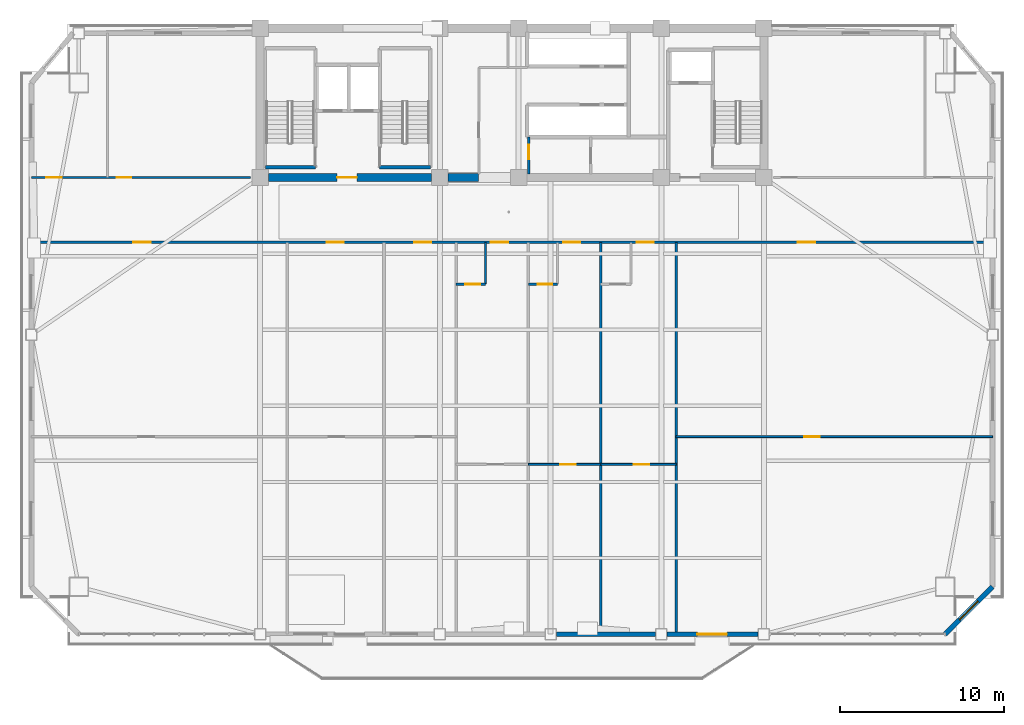
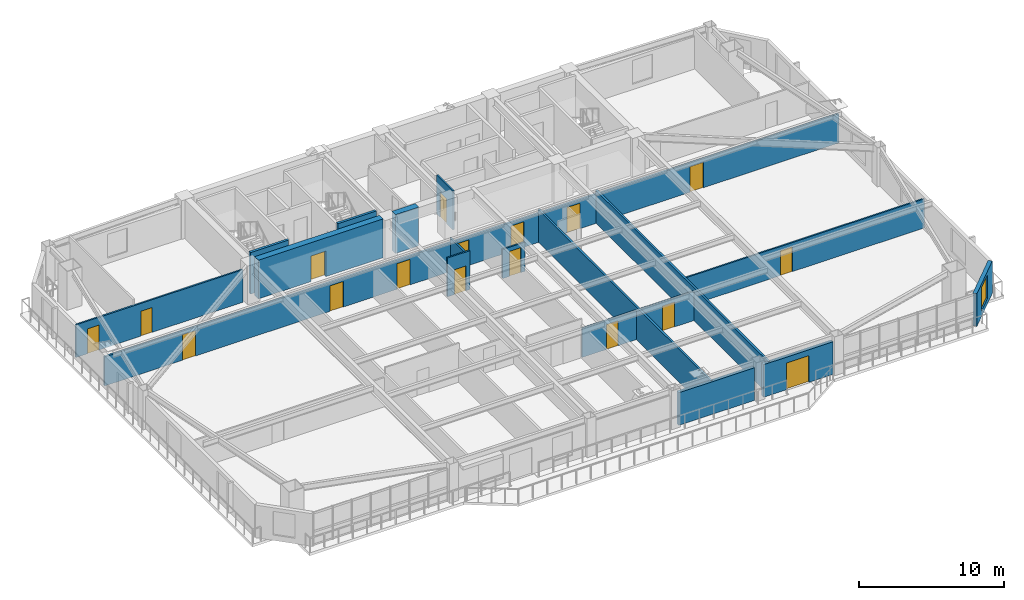
# One storey, part 8 of 15: 18 walls, 17 doors, 1 window, 18 openings.
"""IFC4 building model written with IfcOpenShell, lengths in metres."""

from ifc_helpers import new_model, si_unit, direction, frame, frame_2d, origin, place, context, subcontext, project, spatial, rectangle, extrude, source, transform, mapped, material, layer, layer_set, type_object, element, fill, save


model = new_model("IFC4")

# Units and contexts
model_context = context("Model", 3, precision=1e-05, world=origin(), true_north=direction((0.0, 1.0)))
body_context = subcontext(model_context, "Body", "Model", "MODEL_VIEW")
ifc_project = project(units=[si_unit("LENGTHUNIT", "METRE"), si_unit("AREAUNIT", "SQUARE_METRE"), si_unit("VOLUMEUNIT", "CUBIC_METRE"), si_unit("PLANEANGLEUNIT", "RADIAN"), si_unit("MASSUNIT", "GRAM", prefix="KILO")], contexts=[model_context])

# Site, building, storey
site_placement = place(None, origin())
site = spatial("IfcSite", under=ifc_project, at=site_placement, CompositionType="ELEMENT")
building_placement = place(site_placement, origin())
building = spatial("IfcBuilding", under=site, at=building_placement, Name="Giltprow Tower", CompositionType="ELEMENT")
storey_placement = place(building_placement, frame((0.0, 0.0, 173.699951171875)))
storey = spatial("IfcBuildingStorey", under=building, at=storey_placement, Name="L43", CompositionType="ELEMENT", Elevation=173.699951171875)

# Wall, opening, window
ifc_material_1 = material(Name="Precast concrete C40", Category="concrete")
ifc_layer_1 = layer(ifc_material_1, 0.300048828125, Name="Precast concrete C40")
ifc_layer_set_1 = layer_set([ifc_layer_1], Name="Precast concrete C40")
wall_type_1 = type_object("IfcWallType", Name="EW-NOTCH-CHAMFER-300", PredefinedType="SOLIDWALL", material=ifc_layer_set_1)
wall_1_placement = place(storey_placement, frame((61.593994140625, 9.6259765625, 0.0), z_axis=(0.0, 0.0, 1.0), x_axis=(0.707106781187, 0.707106781187, 0.0)))
wall_1 = element("IfcWall", 1, at=wall_1_placement, inside=storey, type_object=wall_type_1, Name="L43 Corner Notch Wall SE", PredefinedType="SOLIDWALL", context=body_context, shape_type="SweptSolid", body=[
    extrude(rectangle(XDim=4.082763671875, YDim=0.300048828125, at=frame_2d((2.04150390625, 0.0))), origin(), (0.0, 0.0, 1.0), 2.75),
])
opening_1_placement = place(wall_1_placement, frame((1.240966796875, 0.0, 0.449951171875)))
opening_1 = element("IfcOpeningElement", 2, at=opening_1_placement, cuts=wall_1, Name="Opening WN17", PredefinedType="OPENING", context=body_context, shape_type="SweptSolid", body=[
    extrude(rectangle(XDim=1.60009765625, YDim=2.0, at=frame_2d((0.800048828125, 1.0))), frame((0.0, 0.159912109375, 0.0), z_axis=(0.0, -1.0, 0.0), x_axis=(1.0, 0.0, 0.0)), (0.0, 0.0, 1.0), 0.320068359375),
])
ifc_material_2 = material(Name="Insulated glass", Category="glass")
window_type = type_object("IfcWindowType", Name="WN-COR-1600x2000", PartitioningType="SINGLE_PANEL", PredefinedType="WINDOW", material=ifc_material_2)
shared_shape_1 = source(origin(), body_context, "Body", "SweptSolid", [
    extrude(rectangle(XDim=1.60009765625, YDim=2.0, at=frame_2d((0.800048828125, 1.0))), frame((0.0, 0.030029296875, 0.0), z_axis=(0.0, -1.0, 0.0), x_axis=(1.0, 0.0, 0.0)), (0.0, 0.0, 1.0), 0.06005859375),
])
window_placement = place(opening_1_placement, origin())
window = element("IfcWindow", 3, at=window_placement, inside=storey, type_object=window_type, Name="L43 Corner Notch Window SE", OverallHeight=2.0, OverallWidth=1.60009765625, PartitioningType="SINGLE_PANEL", PredefinedType="WINDOW", context=body_context, shape_type="MappedRepresentation", body=[
    mapped(shared_shape_1, transform((0.0, 0.0, 0.0), x_axis=(1.0, 0.0, 0.0), y_axis=(0.0, 1.0, 0.0), z_axis=(0.0, 0.0, 1.0), scale=1.0)),
])
fill(opening_1, window)

# Wall
ifc_layer_2 = layer(ifc_material_1, 0.280029296875, Name="Precast concrete C40")
ifc_layer_set_2 = layer_set([ifc_layer_2], Name="Precast concrete C40")
wall_type_2 = type_object("IfcWallType", Name="EW-TOW-BRONZE-280", PredefinedType="SOLIDWALL", material=ifc_layer_set_2)
wall_2_placement = place(storey_placement, frame((37.89990234375, 9.6259765625, 0.0), z_axis=(0.0, 0.0, 1.0), x_axis=(1.0, 0.0, 0.0)))
element("IfcWall", 4, at=wall_2_placement, inside=storey, type_object=wall_type_2, Name="L43 South Expressed Frame Wall 4", PredefinedType="SOLIDWALL", context=body_context, shape_type="SweptSolid", body=[
    extrude(rectangle(XDim=6.050048828125, YDim=0.280029296875, at=frame_2d((3.02490234375, 0.0))), origin(), (0.0, 0.0, 1.0), 2.75),
])

# Wall, opening, door
wall_3_placement = place(storey_placement, frame((44.64990234375, 9.6259765625, 0.0), z_axis=(0.0, 0.0, 1.0), x_axis=(1.0, 0.0, 0.0)))
wall_3 = element("IfcWall", 5, at=wall_3_placement, inside=storey, type_object=wall_type_2, Name="L43 South Expressed Frame Wall 5", PredefinedType="SOLIDWALL", context=body_context, shape_type="SweptSolid", body=[
    extrude(rectangle(XDim=5.550048828125, YDim=0.280029296875, at=frame_2d((2.77490234375, 0.0))), origin(), (0.0, 0.0, 1.0), 2.75),
])
opening_2_placement = place(wall_3_placement, frame((1.85009765625, 0.0, 0.0)))
opening_2 = element("IfcOpeningElement", 6, at=opening_2_placement, cuts=wall_3, Name="Opening ED25", PredefinedType="OPENING", context=body_context, shape_type="SweptSolid", body=[
    extrude(rectangle(XDim=1.800048828125, YDim=2.25, at=frame_2d((0.89990234375, 1.125))), frame((0.0, 0.14990234375, 0.0), z_axis=(0.0, -1.0, 0.0), x_axis=(1.0, 0.0, 0.0)), (0.0, 0.0, 1.0), 0.300048828125),
])
ifc_material_3 = material(Name="Anodized bronze and glass", Category="glass")
door_type_1 = type_object("IfcDoorType", Name="DR-BALC-SLIDE-1800", OperationType="SLIDING_TO_LEFT", PredefinedType="DOOR", material=ifc_material_3)
shared_shape_2 = source(origin(), body_context, "Body", "SweptSolid", [
    extrude(rectangle(XDim=1.800048828125, YDim=2.25, at=frame_2d((0.89990234375, 1.125))), frame((0.0, 0.02490234375, 0.0), z_axis=(0.0, -1.0, 0.0), x_axis=(1.0, 0.0, 0.0)), (0.0, 0.0, 1.0), 0.050048828125),
])
door_1_placement = place(opening_2_placement, origin())
door_1 = element("IfcDoor", 7, at=door_1_placement, inside=storey, type_object=door_type_1, Name="L43 Waterfront Balcony Sliding Door 2", OperationType="SLIDING_TO_LEFT", OverallHeight=2.25, OverallWidth=1.800048828125, PredefinedType="DOOR", context=body_context, shape_type="MappedRepresentation", body=[
    mapped(shared_shape_2, transform((0.0, 0.0, 0.0), x_axis=(1.0, 0.0, 0.0), y_axis=(0.0, 1.0, 0.0), z_axis=(0.0, 0.0, 1.0), scale=1.0)),
])
fill(opening_2, door_1)

# Wall, openings, doors
ifc_material_4 = material(Name="Gypsum stud partition", Category="gypsum")
ifc_layer_3 = layer(ifc_material_4, 0.14990234375, Name="Gypsum stud partition")
ifc_layer_set_3 = layer_set([ifc_layer_3], Name="Gypsum stud partition")
wall_type_3 = type_object("IfcWallType", Name="IW-CORR-150", PredefinedType="PARTITIONING", material=ifc_layer_set_3)
wall_4_placement = place(storey_placement, frame((5.9189453125, 33.5, 0.0), z_axis=(0.0, 0.0, 1.0), x_axis=(1.0, 0.0, 0.0)))
wall_4 = element("IfcWall", 8, at=wall_4_placement, inside=storey, type_object=wall_type_3, Name="L43 Hotel Guestroom Corridor Wall", PredefinedType="PARTITIONING", context=body_context, shape_type="SweptSolid", body=[
    extrude(rectangle(XDim=58.56201171875, YDim=0.14990234375, at=frame_2d((29.281005859375, 0.0))), origin(), (0.0, 0.0, 1.0), 2.455078125),
])
opening_3_placement = place(wall_4_placement, frame((6.214111328125, 0.0, 0.0)))
opening_3 = element("IfcOpeningElement", 9, at=opening_3_placement, cuts=wall_4, Name="Opening ID31", PredefinedType="OPENING", context=body_context, shape_type="SweptSolid", body=[
    extrude(rectangle(XDim=1.050048828125, YDim=2.14990234375, at=frame_2d((0.52490234375, 1.074951171875))), frame((0.0, 0.0849609375, 0.0), z_axis=(0.0, -1.0, 0.0), x_axis=(1.0, 0.0, 0.0)), (0.0, 0.0, 1.0), 0.169921875),
])
opening_4_placement = place(wall_4_placement, frame((17.991943359375, 0.0, 0.0)))
opening_4 = element("IfcOpeningElement", 10, at=opening_4_placement, cuts=wall_4, Name="Opening ID31", PredefinedType="OPENING", context=body_context, shape_type="SweptSolid", body=[
    extrude(rectangle(XDim=1.050048828125, YDim=2.14990234375, at=frame_2d((0.52490234375, 1.074951171875))), frame((0.0, 0.0849609375, 0.0), z_axis=(0.0, -1.0, 0.0), x_axis=(1.0, 0.0, 0.0)), (0.0, 0.0, 1.0), 0.169921875),
])
opening_5_placement = place(wall_4_placement, frame((23.322021484375, 0.0, 0.0)))
opening_5 = element("IfcOpeningElement", 11, at=opening_5_placement, cuts=wall_4, Name="Opening ID31", PredefinedType="OPENING", context=body_context, shape_type="SweptSolid", body=[
    extrude(rectangle(XDim=1.050048828125, YDim=2.14990234375, at=frame_2d((0.52490234375, 1.074951171875))), frame((0.0, 0.0849609375, 0.0), z_axis=(0.0, -1.0, 0.0), x_axis=(1.0, 0.0, 0.0)), (0.0, 0.0, 1.0), 0.169921875),
])
opening_6_placement = place(wall_4_placement, frame((27.9970703125, 0.0, 0.0)))
opening_6 = element("IfcOpeningElement", 12, at=opening_6_placement, cuts=wall_4, Name="Opening ID31", PredefinedType="OPENING", context=body_context, shape_type="SweptSolid", body=[
    extrude(rectangle(XDim=1.050048828125, YDim=2.14990234375, at=frame_2d((0.52490234375, 1.074951171875))), frame((0.0, 0.0849609375, 0.0), z_axis=(0.0, -1.0, 0.0), x_axis=(1.0, 0.0, 0.0)), (0.0, 0.0, 1.0), 0.169921875),
])
opening_7_placement = place(wall_4_placement, frame((32.39697265625, 0.0, 0.0)))
opening_7 = element("IfcOpeningElement", 13, at=opening_7_placement, cuts=wall_4, Name="Opening ID31", PredefinedType="OPENING", context=body_context, shape_type="SweptSolid", body=[
    extrude(rectangle(XDim=1.050048828125, YDim=2.14990234375, at=frame_2d((0.52490234375, 1.074951171875))), frame((0.0, 0.0849609375, 0.0), z_axis=(0.0, -1.0, 0.0), x_axis=(1.0, 0.0, 0.0)), (0.0, 0.0, 1.0), 0.169921875),
])
opening_8_placement = place(wall_4_placement, frame((36.876953125, 0.0, 0.0)))
opening_8 = element("IfcOpeningElement", 14, at=opening_8_placement, cuts=wall_4, Name="Opening ID31", PredefinedType="OPENING", context=body_context, shape_type="SweptSolid", body=[
    extrude(rectangle(XDim=1.050048828125, YDim=2.14990234375, at=frame_2d((0.52490234375, 1.074951171875))), frame((0.0, 0.0849609375, 0.0), z_axis=(0.0, -1.0, 0.0), x_axis=(1.0, 0.0, 0.0)), (0.0, 0.0, 1.0), 0.169921875),
])
opening_9_placement = place(wall_4_placement, frame((46.700927734375, 0.0, 0.0)))
opening_9 = element("IfcOpeningElement", 15, at=opening_9_placement, cuts=wall_4, Name="Opening ID31", PredefinedType="OPENING", context=body_context, shape_type="SweptSolid", body=[
    extrude(rectangle(XDim=1.050048828125, YDim=2.14990234375, at=frame_2d((0.52490234375, 1.074951171875))), frame((0.0, 0.0849609375, 0.0), z_axis=(0.0, -1.0, 0.0), x_axis=(1.0, 0.0, 0.0)), (0.0, 0.0, 1.0), 0.169921875),
])
ifc_material_5 = material(Name="Engineered timber", Category="wood")
door_type_2 = type_object("IfcDoorType", Name="DR-SUITE-1050", OperationType="SINGLE_SWING_LEFT", PredefinedType="DOOR", material=ifc_material_5)
shared_shape_3 = source(origin(), body_context, "Body", "SweptSolid", [
    extrude(rectangle(XDim=1.050048828125, YDim=2.14990234375, at=frame_2d((0.52490234375, 1.074951171875))), frame((0.0, 0.02490234375, 0.0), z_axis=(0.0, -1.0, 0.0), x_axis=(1.0, 0.0, 0.0)), (0.0, 0.0, 1.0), 0.050048828125),
])
door_2_placement = place(opening_3_placement, origin())
door_2 = element("IfcDoor", 16, at=door_2_placement, inside=storey, type_object=door_type_2, Name="L43 Suite Reception Foyer Door", OperationType="SINGLE_SWING_LEFT", OverallHeight=2.14990234375, OverallWidth=1.050048828125, PredefinedType="DOOR", context=body_context, shape_type="MappedRepresentation", body=[
    mapped(shared_shape_3, transform((0.0, 0.0, 0.0), x_axis=(1.0, 0.0, 0.0), y_axis=(0.0, 1.0, 0.0), z_axis=(0.0, 0.0, 1.0), scale=1.0)),
])
fill(opening_3, door_2)
door_3_placement = place(opening_4_placement, origin())
door_3 = element("IfcDoor", 17, at=door_3_placement, inside=storey, type_object=door_type_2, Name="L43 Suite Reception Foyer Door", OperationType="SINGLE_SWING_LEFT", OverallHeight=2.14990234375, OverallWidth=1.050048828125, PredefinedType="DOOR", context=body_context, shape_type="MappedRepresentation", body=[
    mapped(shared_shape_3, transform((0.0, 0.0, 0.0), x_axis=(1.0, 0.0, 0.0), y_axis=(0.0, 1.0, 0.0), z_axis=(0.0, 0.0, 1.0), scale=1.0)),
])
fill(opening_4, door_3)
door_4_placement = place(opening_5_placement, origin())
door_4 = element("IfcDoor", 18, at=door_4_placement, inside=storey, type_object=door_type_2, Name="L43 Suite Reception Foyer Door", OperationType="SINGLE_SWING_LEFT", OverallHeight=2.14990234375, OverallWidth=1.050048828125, PredefinedType="DOOR", context=body_context, shape_type="MappedRepresentation", body=[
    mapped(shared_shape_3, transform((0.0, 0.0, 0.0), x_axis=(1.0, 0.0, 0.0), y_axis=(0.0, 1.0, 0.0), z_axis=(0.0, 0.0, 1.0), scale=1.0)),
])
fill(opening_5, door_4)
door_5_placement = place(opening_6_placement, origin())
door_5 = element("IfcDoor", 19, at=door_5_placement, inside=storey, type_object=door_type_2, Name="L43 Hotel Room 4 Entry Door", OperationType="SINGLE_SWING_LEFT", OverallHeight=2.14990234375, OverallWidth=1.050048828125, PredefinedType="DOOR", context=body_context, shape_type="MappedRepresentation", body=[
    mapped(shared_shape_3, transform((0.0, 0.0, 0.0), x_axis=(1.0, 0.0, 0.0), y_axis=(0.0, 1.0, 0.0), z_axis=(0.0, 0.0, 1.0), scale=1.0)),
])
fill(opening_6, door_5)
door_6_placement = place(opening_7_placement, origin())
door_6 = element("IfcDoor", 20, at=door_6_placement, inside=storey, type_object=door_type_2, Name="L43 Hotel Room 5 Entry Door", OperationType="SINGLE_SWING_RIGHT", OverallHeight=2.14990234375, OverallWidth=1.050048828125, PredefinedType="DOOR", context=body_context, shape_type="MappedRepresentation", body=[
    mapped(shared_shape_3, transform((0.0, 0.0, 0.0), x_axis=(1.0, 0.0, 0.0), y_axis=(0.0, 1.0, 0.0), z_axis=(0.0, 0.0, 1.0), scale=1.0)),
])
fill(opening_7, door_6)
door_7_placement = place(opening_8_placement, origin())
door_7 = element("IfcDoor", 21, at=door_7_placement, inside=storey, type_object=door_type_2, Name="L43 Hotel Room 6 Entry Door", OperationType="SINGLE_SWING_LEFT", OverallHeight=2.14990234375, OverallWidth=1.050048828125, PredefinedType="DOOR", context=body_context, shape_type="MappedRepresentation", body=[
    mapped(shared_shape_3, transform((0.0, 0.0, 0.0), x_axis=(1.0, 0.0, 0.0), y_axis=(0.0, 1.0, 0.0), z_axis=(0.0, 0.0, 1.0), scale=1.0)),
])
fill(opening_8, door_7)
door_8_placement = place(opening_9_placement, origin())
door_8 = element("IfcDoor", 22, at=door_8_placement, inside=storey, type_object=door_type_2, Name="L43 Suite Reception Foyer Door", OperationType="SINGLE_SWING_RIGHT", OverallHeight=2.14990234375, OverallWidth=1.050048828125, PredefinedType="DOOR", context=body_context, shape_type="MappedRepresentation", body=[
    mapped(shared_shape_3, transform((0.0, 0.0, 0.0), x_axis=(1.0, 0.0, 0.0), y_axis=(0.0, 1.0, 0.0), z_axis=(0.0, 0.0, 1.0), scale=1.0)),
])
fill(opening_9, door_8)

# Walls
ifc_layer_4 = layer(ifc_material_4, 0.159912109375, Name="Gypsum stud partition")
ifc_layer_set_4 = layer_set([ifc_layer_4], Name="Gypsum stud partition")
wall_type_4 = type_object("IfcWallType", Name="IW-DEMISE-160", PredefinedType="PARTITIONING", material=ifc_layer_set_4)
for number, where, z_axis, x_axis, name in (
    (23, (40.60009765625, 9.6259765625, 0.0), (0.0, 0.0, 1.0), (0.0, 1.0, 0.0), "L43 Hotel Demising Wall 5"),
    (24, (45.199951171875, 9.6259765625, 0.0), (0.0, 0.0, 1.0), (0.0, 1.0, 0.0), "L43 Hotel Demising Wall 6"),
):
    element("IfcWall", number, at=place(storey_placement, frame(where, z_axis=z_axis, x_axis=x_axis)), inside=storey, type_object=wall_type_4, Name=name, PredefinedType="PARTITIONING", context=body_context, shape_type="SweptSolid", body=[
        extrude(rectangle(XDim=23.8740234375, YDim=0.159912109375, at=frame_2d((11.93701171875, 0.0))), origin(), (0.0, 0.0, 1.0), 2.755126953125),
    ])

# Wall, opening, door
ifc_layer_5 = layer(ifc_material_4, 0.1201171875, Name="Gypsum stud partition")
ifc_layer_set_5 = layer_set([ifc_layer_5], Name="Gypsum stud partition")
wall_type_5 = type_object("IfcWallType", Name="IW-ROOM-120", PredefinedType="PARTITIONING", material=ifc_layer_set_5)
wall_5_placement = place(storey_placement, frame((36.199951171875, 19.966064453125, 0.0), z_axis=(0.0, 0.0, 1.0), x_axis=(1.0, 0.0, 0.0)))
wall_5 = element("IfcWall", 25, at=wall_5_placement, inside=storey, type_object=wall_type_5, Name="L43 Suite Parlour Divider 5", PredefinedType="PARTITIONING", context=body_context, shape_type="SweptSolid", body=[
    extrude(rectangle(XDim=4.400146484375, YDim=0.1201171875, at=frame_2d((2.2001953125, 0.0))), origin(), (0.0, 0.0, 1.0), 2.455078125),
])
opening_10_placement = place(wall_5_placement, frame((1.925048828125, 0.0, 0.0)))
opening_10 = element("IfcOpeningElement", 26, at=opening_10_placement, cuts=wall_5, Name="Opening ID11", PredefinedType="OPENING", context=body_context, shape_type="SweptSolid", body=[
    extrude(rectangle(XDim=0.949951171875, YDim=2.10009765625, at=frame_2d((0.47509765625, 1.050048828125))), frame((0.0, 0.070068359375, 0.0), z_axis=(0.0, -1.0, 0.0), x_axis=(1.0, 0.0, 0.0)), (0.0, 0.0, 1.0), 0.14013671875),
])
door_type_3 = type_object("IfcDoorType", Name="DR-ROOM-950", OperationType="SINGLE_SWING_RIGHT", PredefinedType="DOOR", material=ifc_material_5)
shared_shape_4 = source(origin(), body_context, "Body", "SweptSolid", [
    extrude(rectangle(XDim=0.949951171875, YDim=2.10009765625, at=frame_2d((0.47509765625, 1.050048828125))), frame((0.0, 0.02490234375, 0.0), z_axis=(0.0, -1.0, 0.0), x_axis=(1.0, 0.0, 0.0)), (0.0, 0.0, 1.0), 0.050048828125),
])
door_9_placement = place(opening_10_placement, origin())
door_9 = element("IfcDoor", 27, at=door_9_placement, inside=storey, type_object=door_type_3, Name="L43 Harbour Parlour 5 Door", OperationType="SINGLE_SWING_RIGHT", OverallHeight=2.10009765625, OverallWidth=0.949951171875, PredefinedType="DOOR", context=body_context, shape_type="MappedRepresentation", body=[
    mapped(shared_shape_4, transform((0.0, 0.0, 0.0), x_axis=(1.0, 0.0, 0.0), y_axis=(0.0, 1.0, 0.0), z_axis=(0.0, 0.0, 1.0), scale=1.0)),
])
fill(opening_10, door_9)

wall_6_placement = place(storey_placement, frame((40.60009765625, 19.966064453125, 0.0), z_axis=(0.0, 0.0, 1.0), x_axis=(1.0, 0.0, 0.0)))
wall_6 = element("IfcWall", 28, at=wall_6_placement, inside=storey, type_object=wall_type_5, Name="L43 Suite Parlour Divider 6", PredefinedType="PARTITIONING", context=body_context, shape_type="SweptSolid", body=[
    extrude(rectangle(XDim=4.599853515625, YDim=0.1201171875, at=frame_2d((2.2998046875, 0.0))), origin(), (0.0, 0.0, 1.0), 2.455078125),
])
opening_11_placement = place(wall_6_placement, frame((2.02490234375, 0.0, 0.0)))
opening_11 = element("IfcOpeningElement", 29, at=opening_11_placement, cuts=wall_6, Name="Opening ID11", PredefinedType="OPENING", context=body_context, shape_type="SweptSolid", body=[
    extrude(rectangle(XDim=0.949951171875, YDim=2.10009765625, at=frame_2d((0.47509765625, 1.050048828125))), frame((0.0, 0.070068359375, 0.0), z_axis=(0.0, -1.0, 0.0), x_axis=(1.0, 0.0, 0.0)), (0.0, 0.0, 1.0), 0.14013671875),
])
door_10_placement = place(opening_11_placement, origin())
door_10 = element("IfcDoor", 30, at=door_10_placement, inside=storey, type_object=door_type_3, Name="L43 Harbour Parlour 6 Door", OperationType="SINGLE_SWING_LEFT", OverallHeight=2.10009765625, OverallWidth=0.949951171875, PredefinedType="DOOR", context=body_context, shape_type="MappedRepresentation", body=[
    mapped(shared_shape_4, transform((0.0, 0.0, 0.0), x_axis=(1.0, 0.0, 0.0), y_axis=(0.0, 1.0, 0.0), z_axis=(0.0, 0.0, 1.0), scale=1.0)),
])
fill(opening_11, door_10)

wall_7_placement = place(storey_placement, frame((45.199951171875, 21.6630859375, 0.0), z_axis=(0.0, 0.0, 1.0), x_axis=(1.0, 0.0, 0.0)))
wall_7 = element("IfcWall", 31, at=wall_7_placement, inside=storey, type_object=wall_type_5, Name="L43 Amenity Mid Wall 7", PredefinedType="PARTITIONING", context=body_context, shape_type="SweptSolid", body=[
    extrude(rectangle(XDim=19.281005859375, YDim=0.1201171875, at=frame_2d((9.640625, 0.0))), origin(), (0.0, 0.0, 1.0), 2.455078125),
])
opening_12_placement = place(wall_7_placement, frame((7.798095703125, 0.0, 0.0)))
opening_12 = element("IfcOpeningElement", 32, at=opening_12_placement, cuts=wall_7, Name="Opening ID11", PredefinedType="OPENING", context=body_context, shape_type="SweptSolid", body=[
    extrude(rectangle(XDim=0.949951171875, YDim=2.10009765625, at=frame_2d((0.47509765625, 1.050048828125))), frame((0.0, 0.070068359375, 0.0), z_axis=(0.0, -1.0, 0.0), x_axis=(1.0, 0.0, 0.0)), (0.0, 0.0, 1.0), 0.14013671875),
])
door_11_placement = place(opening_12_placement, origin())
door_11 = element("IfcDoor", 33, at=door_11_placement, inside=storey, type_object=door_type_3, Name="L43 Banquet Meeting Room 4 Inner Door", OperationType="SINGLE_SWING_LEFT", OverallHeight=2.10009765625, OverallWidth=0.949951171875, PredefinedType="DOOR", context=body_context, shape_type="MappedRepresentation", body=[
    mapped(shared_shape_4, transform((0.0, 0.0, 0.0), x_axis=(1.0, 0.0, 0.0), y_axis=(0.0, 1.0, 0.0), z_axis=(0.0, 0.0, 1.0), scale=1.0)),
])
fill(opening_12, door_11)

# Walls
ifc_material_6 = material(Name="Concrete C40", Category="concrete")
ifc_layer_6 = layer(ifc_material_6, 0.199951171875, Name="Concrete C40")
ifc_layer_set_6 = layer_set([ifc_layer_6], Name="Concrete C40")
wall_type_6 = type_object("IfcWallType", Name="IW-STAIR-200", PredefinedType="SOLIDWALL", material=ifc_layer_set_6)
wall_8_placement = place(storey_placement, frame((20.169921875, 38.070068359375, 0.0), z_axis=(0.0, 0.0, 1.0), x_axis=(1.0, 0.0, 0.0)))
element("IfcWall", 34, at=wall_8_placement, inside=storey, type_object=wall_type_6, Name="L43 Stair ST-1 South Bearing Wall", PredefinedType="SOLIDWALL", context=body_context, shape_type="SweptSolid", body=[
    extrude(rectangle(XDim=3.050048828125, YDim=0.199951171875, at=frame_2d((1.52490234375, 0.0))), origin(), (0.0, 0.0, 1.0), 3.5),
])
wall_9_placement = place(storey_placement, frame((27.139892578125, 38.070068359375, 0.0), z_axis=(0.0, 0.0, 1.0), x_axis=(1.0, 0.0, 0.0)))
element("IfcWall", 35, at=wall_9_placement, inside=storey, type_object=wall_type_6, Name="L43 Stair ST-2 South Bearing Wall", PredefinedType="SOLIDWALL", context=body_context, shape_type="SweptSolid", body=[
    extrude(rectangle(XDim=3.080078125, YDim=0.199951171875, at=frame_2d((1.5400390625, 0.0))), origin(), (0.0, 0.0, 1.0), 3.5),
])

# Wall, opening, door
ifc_material_7 = material(Name="Concrete C30", Category="concrete")
ifc_layer_7 = layer(ifc_material_7, 0.1298828125, Name="Concrete C30")
ifc_layer_set_7 = layer_set([ifc_layer_7], Name="Concrete C30")
wall_type_7 = type_object("IfcWallType", Name="IW-WET-130", PredefinedType="PARTITIONING", material=ifc_layer_set_7)
wall_10_placement = place(storey_placement, frame((36.219970703125, 37.679931640625, 0.0), z_axis=(0.0, 0.0, 1.0), x_axis=(0.0, 1.0, 0.0)))
wall_10 = element("IfcWall", 36, at=wall_10_placement, inside=storey, type_object=wall_type_7, Name="L43 Core Valet West Wall", PredefinedType="PARTITIONING", context=body_context, shape_type="SweptSolid", body=[
    extrude(rectangle(XDim=2.239990234375, YDim=0.1298828125, at=frame_2d((1.1201171875, 0.0))), origin(), (0.0, 0.0, 1.0), 3.27001953125),
])
opening_13_placement = place(wall_10_placement, frame((0.8798828125, 0.0, 0.0)))
opening_13 = element("IfcOpeningElement", 37, at=opening_13_placement, cuts=wall_10, Name="Opening ID35", PredefinedType="OPENING", context=body_context, shape_type="SweptSolid", body=[
    extrude(rectangle(XDim=0.89990234375, YDim=2.10009765625, at=frame_2d((0.449951171875, 1.050048828125))), frame((0.0, 0.074951171875, 0.0), z_axis=(0.0, -1.0, 0.0), x_axis=(1.0, 0.0, 0.0)), (0.0, 0.0, 1.0), 0.14990234375),
])
ifc_material_8 = material(Name="Steel fire leaf", Category="steel")
door_type_4 = type_object("IfcDoorType", Name="DR-SHAFT-900", OperationType="SINGLE_SWING_LEFT", PredefinedType="DOOR", material=ifc_material_8)
shared_shape_5 = source(origin(), body_context, "Body", "SweptSolid", [
    extrude(rectangle(XDim=0.89990234375, YDim=2.10009765625, at=frame_2d((0.449951171875, 1.050048828125))), frame((0.0, 0.02490234375, 0.0), z_axis=(0.0, -1.0, 0.0), x_axis=(1.0, 0.0, 0.0)), (0.0, 0.0, 1.0), 0.050048828125),
])
door_12_placement = place(opening_13_placement, origin())
door_12 = element("IfcDoor", 38, at=door_12_placement, inside=storey, type_object=door_type_4, Name="L43 Core Staff WC Door", OperationType="SINGLE_SWING_RIGHT", OverallHeight=2.10009765625, OverallWidth=0.89990234375, PredefinedType="DOOR", context=body_context, shape_type="MappedRepresentation", body=[
    mapped(shared_shape_5, transform((0.0, 0.0, 0.0), x_axis=(1.0, 0.0, 0.0), y_axis=(0.0, 1.0, 0.0), z_axis=(0.0, 0.0, 1.0), scale=1.0)),
])
fill(opening_13, door_12)

wall_11_placement = place(storey_placement, frame((31.800048828125, 30.949951171875, 0.0), z_axis=(0.0, 0.0, 1.0), x_axis=(1.0, 0.0, 0.0)))
wall_11 = element("IfcWall", 39, at=wall_11_placement, inside=storey, type_object=wall_type_7, Name="L43 En-Suite South Wall 4", PredefinedType="PARTITIONING", context=body_context, shape_type="SweptSolid", body=[
    extrude(rectangle(XDim=1.77587890625, YDim=0.1298828125, at=frame_2d((0.887939453125, 0.0))), origin(), (0.0, 0.0, 1.0), 3.27001953125),
])
opening_14_placement = place(wall_11_placement, frame((0.55810546875, 0.0, 0.0)))
opening_14 = element("IfcOpeningElement", 40, at=opening_14_placement, cuts=wall_11, Name="Opening ID15", PredefinedType="OPENING", context=body_context, shape_type="SweptSolid", body=[
    extrude(rectangle(XDim=0.89990234375, YDim=2.10009765625, at=frame_2d((0.449951171875, 1.050048828125))), frame((0.0, 0.074951171875, 0.0), z_axis=(0.0, -1.0, 0.0), x_axis=(1.0, 0.0, 0.0)), (0.0, 0.0, 1.0), 0.14990234375),
])
door_type_5 = type_object("IfcDoorType", Name="DR-WC-900", OperationType="SINGLE_SWING_LEFT", PredefinedType="DOOR", material=ifc_material_5)
door_13_placement = place(opening_14_placement, origin())
door_13 = element("IfcDoor", 41, at=door_13_placement, inside=storey, type_object=door_type_5, Name="L43 En-Suite 4 Door", OperationType="SINGLE_SWING_RIGHT", OverallHeight=2.10009765625, OverallWidth=0.89990234375, PredefinedType="DOOR", context=body_context, shape_type="MappedRepresentation", body=[
    mapped(shared_shape_5, transform((0.0, 0.0, 0.0), x_axis=(1.0, 0.0, 0.0), y_axis=(0.0, 1.0, 0.0), z_axis=(0.0, 0.0, 1.0), scale=1.0)),
])
fill(opening_14, door_13)

# Wall
wall_12_placement = place(storey_placement, frame((33.575927734375, 30.949951171875, 0.0), z_axis=(0.0, 0.0, 1.0), x_axis=(0.0, 1.0, 0.0)))
element("IfcWall", 42, at=wall_12_placement, inside=storey, type_object=wall_type_7, Name="L43 En-Suite East Wall 4", PredefinedType="PARTITIONING", context=body_context, shape_type="SweptSolid", body=[
    extrude(rectangle(XDim=2.550048828125, YDim=0.1298828125, at=frame_2d((1.27490234375, 0.0))), origin(), (0.0, 0.0, 1.0), 2.804931640625),
])

# Wall, opening, door
wall_13_placement = place(storey_placement, frame((36.199951171875, 30.949951171875, 0.0), z_axis=(0.0, 0.0, 1.0), x_axis=(1.0, 0.0, 0.0)))
wall_13 = element("IfcWall", 43, at=wall_13_placement, inside=storey, type_object=wall_type_7, Name="L43 En-Suite South Wall 5", PredefinedType="PARTITIONING", context=body_context, shape_type="SweptSolid", body=[
    extrude(rectangle(XDim=1.776123046875, YDim=0.1298828125, at=frame_2d((0.88818359375, 0.0))), origin(), (0.0, 0.0, 1.0), 2.455078125),
])
opening_15_placement = place(wall_13_placement, frame((0.55810546875, 0.0, 0.0)))
opening_15 = element("IfcOpeningElement", 44, at=opening_15_placement, cuts=wall_13, Name="Opening ID15", PredefinedType="OPENING", context=body_context, shape_type="SweptSolid", body=[
    extrude(rectangle(XDim=0.89990234375, YDim=2.10009765625, at=frame_2d((0.449951171875, 1.050048828125))), frame((0.0, 0.074951171875, 0.0), z_axis=(0.0, -1.0, 0.0), x_axis=(1.0, 0.0, 0.0)), (0.0, 0.0, 1.0), 0.14990234375),
])
door_14_placement = place(opening_15_placement, origin())
door_14 = element("IfcDoor", 45, at=door_14_placement, inside=storey, type_object=door_type_5, Name="L43 En-Suite 5 Door", OperationType="SINGLE_SWING_LEFT", OverallHeight=2.10009765625, OverallWidth=0.89990234375, PredefinedType="DOOR", context=body_context, shape_type="MappedRepresentation", body=[
    mapped(shared_shape_5, transform((0.0, 0.0, 0.0), x_axis=(1.0, 0.0, 0.0), y_axis=(0.0, 1.0, 0.0), z_axis=(0.0, 0.0, 1.0), scale=1.0)),
])
fill(opening_15, door_14)

# Wall, openings, doors
wall_14_placement = place(storey_placement, frame((5.9189453125, 37.449951171875, 0.0), z_axis=(0.0, 0.0, 1.0), x_axis=(1.0, 0.0, 0.0)))
wall_14 = element("IfcWall", 46, at=wall_14_placement, inside=storey, type_object=wall_type_7, Name="L43 NW Wing South Wall", PredefinedType="PARTITIONING", context=body_context, shape_type="SweptSolid", body=[
    extrude(rectangle(XDim=13.3310546875, YDim=0.1298828125, at=frame_2d((6.66552734375, 0.0))), origin(), (0.0, 0.0, 1.0), 2.755126953125),
])
opening_16_placement = place(wall_14_placement, frame((0.89990234375, 0.0, 0.0)))
opening_16 = element("IfcOpeningElement", 47, at=opening_16_placement, cuts=wall_14, Name="Opening ID11", PredefinedType="OPENING", context=body_context, shape_type="SweptSolid", body=[
    extrude(rectangle(XDim=0.949951171875, YDim=2.10009765625, at=frame_2d((0.47509765625, 1.050048828125))), frame((0.0, 0.074951171875, 0.0), z_axis=(0.0, -1.0, 0.0), x_axis=(1.0, 0.0, 0.0)), (0.0, 0.0, 1.0), 0.14990234375),
])
opening_17_placement = place(wall_14_placement, frame((5.180908203125, 0.0, 0.0)))
opening_17 = element("IfcOpeningElement", 48, at=opening_17_placement, cuts=wall_14, Name="Opening ID15", PredefinedType="OPENING", context=body_context, shape_type="SweptSolid", body=[
    extrude(rectangle(XDim=0.89990234375, YDim=2.10009765625, at=frame_2d((0.449951171875, 1.050048828125))), frame((0.0, 0.074951171875, 0.0), z_axis=(0.0, -1.0, 0.0), x_axis=(1.0, 0.0, 0.0)), (0.0, 0.0, 1.0), 0.14990234375),
])
door_15_placement = place(opening_17_placement, origin())
door_15 = element("IfcDoor", 49, at=door_15_placement, inside=storey, type_object=door_type_5, Name="L43 NW Washroom Door", OperationType="SINGLE_SWING_LEFT", OverallHeight=2.10009765625, OverallWidth=0.89990234375, PredefinedType="DOOR", context=body_context, shape_type="MappedRepresentation", body=[
    mapped(shared_shape_5, transform((0.0, 0.0, 0.0), x_axis=(1.0, 0.0, 0.0), y_axis=(0.0, 1.0, 0.0), z_axis=(0.0, 0.0, 1.0), scale=1.0)),
])
fill(opening_17, door_15)
door_16_placement = place(opening_16_placement, origin())
door_16 = element("IfcDoor", 50, at=door_16_placement, inside=storey, type_object=door_type_3, Name="L43 Hotel Floor Butler Office West Door", OperationType="SINGLE_SWING_RIGHT", OverallHeight=2.10009765625, OverallWidth=0.949951171875, PredefinedType="DOOR", context=body_context, shape_type="MappedRepresentation", body=[
    mapped(shared_shape_4, transform((0.0, 0.0, 0.0), x_axis=(1.0, 0.0, 0.0), y_axis=(0.0, 1.0, 0.0), z_axis=(0.0, 0.0, 1.0), scale=1.0)),
])
fill(opening_16, door_16)

# Wall, opening, door
ifc_material_9 = material(Name="Concrete C50", Category="concrete")
ifc_layer_8 = layer(ifc_material_9, 0.5, Name="Concrete C50")
ifc_layer_set_8 = layer_set([ifc_layer_8], Name="Concrete C50")
wall_type_8 = type_object("IfcWallType", Name="SW-INT-500-C50", PredefinedType="SHEAR", material=ifc_layer_set_8)
wall_15_placement = place(storey_placement, frame((20.35009765625, 37.449951171875, 0.0), z_axis=(0.0, 0.0, 1.0), x_axis=(1.0, 0.0, 0.0)))
wall_15 = element("IfcWall", 51, at=wall_15_placement, inside=storey, type_object=wall_type_8, Name="L43 South Rear Core Shear Wall West", PredefinedType="SHEAR", context=body_context, shape_type="SweptSolid", body=[
    extrude(rectangle(XDim=9.949951171875, YDim=0.5, at=frame_2d((4.97509765625, 0.0))), origin(), (0.0, 0.0, 1.0), 3.27001953125),
])
opening_18_placement = place(wall_15_placement, frame((4.199951171875, 0.0, 0.0)))
opening_18 = element("IfcOpeningElement", 52, at=opening_18_placement, cuts=wall_15, Name="Opening ID19", PredefinedType="OPENING", context=body_context, shape_type="SweptSolid", body=[
    extrude(rectangle(XDim=1.199951171875, YDim=2.14990234375, at=frame_2d((0.60009765625, 1.074951171875))), frame((0.0, 0.260009765625, 0.0), z_axis=(0.0, -1.0, 0.0), x_axis=(1.0, 0.0, 0.0)), (0.0, 0.0, 1.0), 0.52001953125),
])
door_type_6 = type_object("IfcDoorType", Name="DR-FFLOBBY-1200", OperationType="SINGLE_SWING_RIGHT", PredefinedType="DOOR", material=ifc_material_8)
shared_shape_6 = source(origin(), body_context, "Body", "SweptSolid", [
    extrude(rectangle(XDim=1.199951171875, YDim=2.14990234375, at=frame_2d((0.60009765625, 1.074951171875))), frame((0.0, 0.02490234375, 0.0), z_axis=(0.0, -1.0, 0.0), x_axis=(1.0, 0.0, 0.0)), (0.0, 0.0, 1.0), 0.050048828125),
])
door_17_placement = place(opening_18_placement, origin())
door_17 = element("IfcDoor", 53, at=door_17_placement, inside=storey, type_object=door_type_6, Name="L43 West Firefighting Lobby Entry Door", OperationType="SINGLE_SWING_RIGHT", OverallHeight=2.14990234375, OverallWidth=1.199951171875, PredefinedType="DOOR", context=body_context, shape_type="MappedRepresentation", body=[
    mapped(shared_shape_6, transform((0.0, 0.0, 0.0), x_axis=(1.0, 0.0, 0.0), y_axis=(0.0, 1.0, 0.0), z_axis=(0.0, 0.0, 1.0), scale=1.0)),
])
fill(opening_18, door_17)

# Wall
wall_16_placement = place(storey_placement, frame((31.300048828125, 37.449951171875, 0.0), z_axis=(0.0, 0.0, 1.0), x_axis=(1.0, 0.0, 0.0)))
element("IfcWall", 54, at=wall_16_placement, inside=storey, type_object=wall_type_8, Name="L43 South Rear Core Shear Wall Mid-West", PredefinedType="SHEAR", context=body_context, shape_type="SweptSolid", body=[
    extrude(rectangle(XDim=1.849853515625, YDim=0.5, at=frame_2d((0.9248046875, 0.0))), origin(), (0.0, 0.0, 1.0), 3.27001953125),
])

save(model, "model.ifc")
